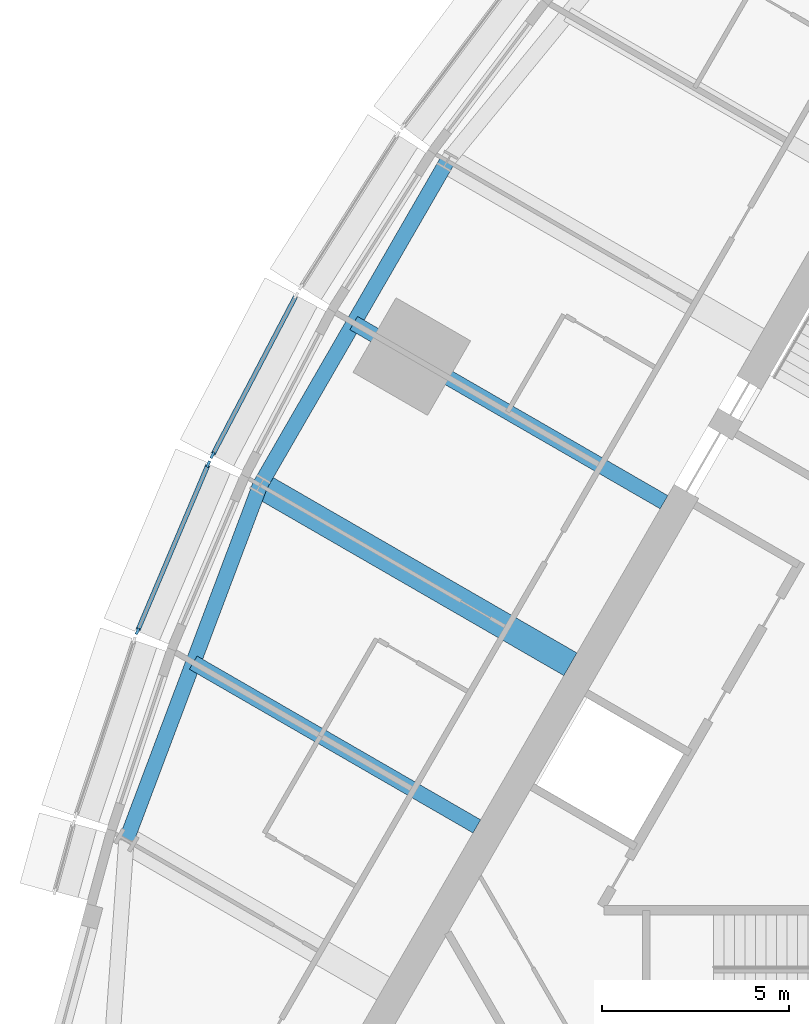
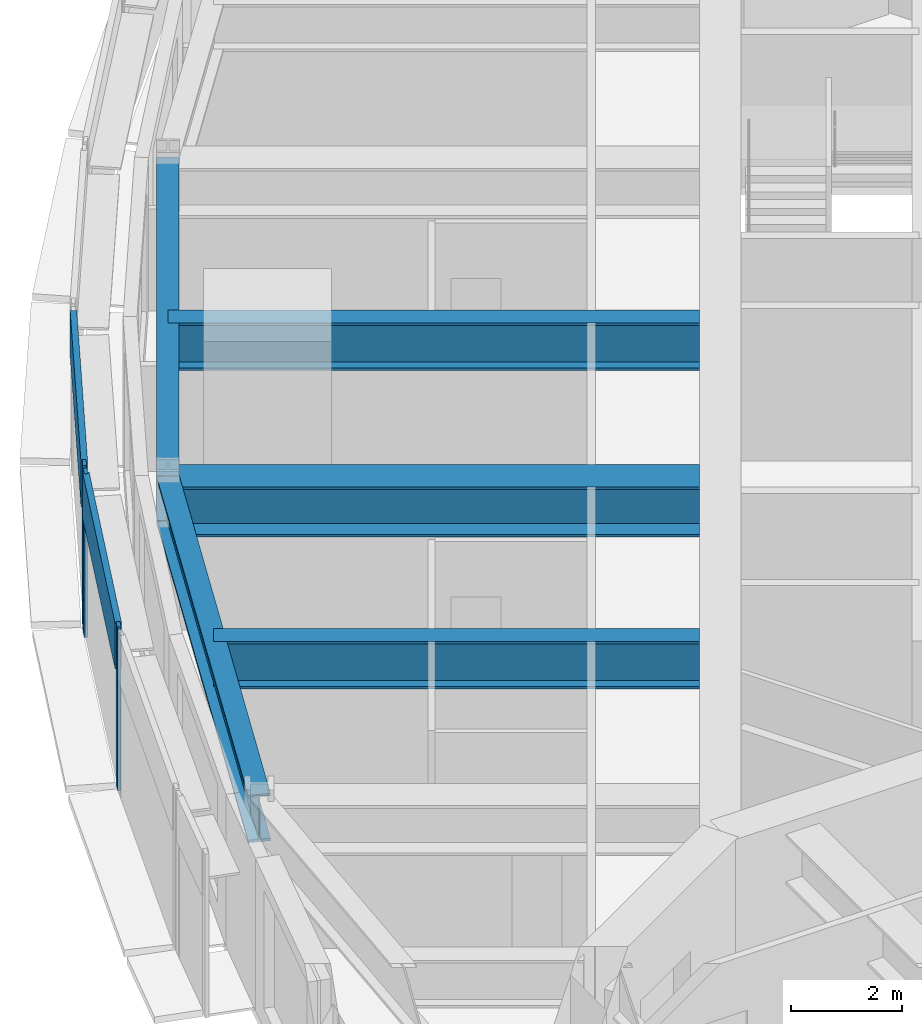
# One storey, part 3 of 15: 5 beams, 5 members, 2 elements without a shape of their own.
"""IFC4 building model written with IfcOpenShell, lengths in metres."""

import ifcopenshell
import ifcopenshell.guid

model = None  # the IFC model being written
_history = None  # IfcOwnerHistory: only IFC2X3 demands one
_inside = {}  # id of a spatial element -> (the spatial element, [elements in it])
_under = {}  # id of a project, library or spatial element -> (it, [spatial elements below it])
_declared = {}  # id of a project -> (the project, [libraries it declares])
_typed = {}  # id of a type object -> (the type object, [elements of that type])
_made_of = {}  # id of a material, layer set ... -> (it, [elements and type objects made of it])


def new_model(schema):
    """Start an empty IFC model of exactly this schema.

    Asked for "IFC4X3", IfcOpenShell would pick the latest addendum, in which some entities
    have other attributes; the version numbers below select the first issue.
    IFC2X3 requires an IfcOwnerHistory on every rooted entity: one is made here for all.
    """
    global model, _history
    if schema == "IFC4X3":
        model = ifcopenshell.file(schema_version=(4, 3, 0, 0))
    else:
        model = ifcopenshell.file(schema=schema)
    _inside.clear()
    _under.clear()
    _declared.clear()
    _typed.clear()
    _made_of.clear()
    _history = None
    if model.schema == "IFC2X3":
        org = make("IfcOrganization", Name="unknown")
        user = make(
            "IfcPersonAndOrganization",
            ThePerson=make("IfcPerson", FamilyName="unknown"),
            TheOrganization=org,
        )
        app = make(
            "IfcApplication",
            ApplicationDeveloper=org,
            Version="unknown",
            ApplicationFullName="unknown",
            ApplicationIdentifier="unknown",
        )
        _history = make(
            "IfcOwnerHistory",
            OwningUser=user,
            OwningApplication=app,
            ChangeAction="ADDED",
            CreationDate=0,
        )
    return model


def make(cls, **values):
    """One entity of the class cls with the attributes given. An attribute that is None is left unset."""
    return model.create_entity(
        cls, **{name: value for name, value in values.items() if value is not None}
    )


def rooted(cls, **values):
    """An entity with a GlobalId (a new one), such as an element, a storey or a relation."""
    return make(cls, GlobalId=ifcopenshell.guid.new(), OwnerHistory=_history, **values)


def si_unit(unit_type, name, prefix=None):
    """IfcSIUnit, for example si_unit("LENGTHUNIT", "METRE", prefix="MILLI")."""
    return make("IfcSIUnit", UnitType=unit_type, Prefix=prefix, Name=name)


def assignment(units):
    """IfcUnitAssignment: the units of a project."""
    return None if units is None else make("IfcUnitAssignment", Units=units)


def point(xyz):
    """IfcCartesianPoint."""
    return None if xyz is None else make("IfcCartesianPoint", Coordinates=xyz)


def direction(xyz):
    """IfcDirection."""
    return None if xyz is None else make("IfcDirection", DirectionRatios=xyz)


def frame(location, z_axis=None, x_axis=None):
    """IfcAxis2Placement3D, a coordinate frame: its origin and axes. An axis left out is left unset."""
    return make(
        "IfcAxis2Placement3D",
        Location=point(location),
        Axis=direction(z_axis),
        RefDirection=direction(x_axis),
    )


def frame_2d(location, x_axis=None):
    """IfcAxis2Placement2D, a coordinate frame in the plane: its origin and x axis."""
    return make(
        "IfcAxis2Placement2D", Location=point(location), RefDirection=direction(x_axis)
    )


def origin():
    """The frame at (0, 0, 0) with its axes left unset."""
    return frame((0.0, 0.0, 0.0))


def origin_2d():
    """The frame at (0, 0) in the plane with its x axis left unset."""
    return frame_2d((0.0, 0.0))


def place(relative_to, where):
    """IfcLocalPlacement: puts the frame where relative to a parent placement (None: the world)."""
    return make(
        "IfcLocalPlacement", PlacementRelTo=relative_to, RelativePlacement=where
    )


def context(
    kind, dimensions, precision=None, world=None, true_north=None, identifier=None
):
    """IfcGeometricRepresentationContext, for example the 3D "Model" context."""
    return make(
        "IfcGeometricRepresentationContext",
        ContextIdentifier=identifier,
        ContextType=kind,
        CoordinateSpaceDimension=dimensions,
        Precision=precision,
        WorldCoordinateSystem=world,
        TrueNorth=true_north,
    )


def subcontext(parent, identifier, kind, view, scale=None):
    """IfcGeometricRepresentationSubContext, for example "Body" below "Model"."""
    return make(
        "IfcGeometricRepresentationSubContext",
        ContextIdentifier=identifier,
        ContextType=kind,
        ParentContext=parent,
        TargetScale=scale,
        TargetView=view,
    )


def project(units=None, contexts=None):
    """IfcProject with its units and contexts."""
    return rooted(
        "IfcProject",
        Name="project",
        RepresentationContexts=contexts,
        UnitsInContext=assignment(units),
    )


def spatial(cls, under=None, at=None, **own):
    """A site, building, storey or space (cls), placed at a placement, below another one or the project."""
    s = rooted(cls, ObjectPlacement=at, **own)
    if under is not None:
        _under.setdefault(under.id(), (under, []))[1].append(s)
    return s


def profile(cls, at=None, kind="AREA", **sizes):
    """A parametric profile (cls). Its sizes go by their IFC names, for example OverallWidth=200.0."""
    return make(cls, ProfileType=kind, Position=at, **sizes)


def rectangle(**sizes):
    """IfcRectangleProfileDef."""
    return profile("IfcRectangleProfileDef", **sizes)


def i_section(**sizes):
    """IfcIShapeProfileDef."""
    return profile("IfcIShapeProfileDef", **sizes)


def extrude(swept, where, along, depth):
    """IfcExtrudedAreaSolid: the profile swept, set in the frame where, extruded along a direction by depth."""
    return make(
        "IfcExtrudedAreaSolid",
        SweptArea=swept,
        Position=where,
        ExtrudedDirection=direction(along),
        Depth=depth,
    )


def shape(context_of_items, identifier, shape_type, items):
    """IfcShapeRepresentation: the items that make up one representation, for example the "Body"."""
    return make(
        "IfcShapeRepresentation",
        ContextOfItems=context_of_items,
        RepresentationIdentifier=identifier,
        RepresentationType=shape_type,
        Items=items,
    )


def material(Name=None, Category=None):
    """IfcMaterial."""
    return make("IfcMaterial", Name=Name, Category=Category)


def material_profile(
    of_material, cross_section, Name=None, Category=None, Priority=None
):
    """IfcMaterialProfile: a cross section and its material."""
    return make(
        "IfcMaterialProfile",
        Name=Name,
        Material=of_material,
        Profile=cross_section,
        Priority=Priority,
        Category=Category,
    )


def profile_set(profiles, Name=None, composite=None):
    """IfcMaterialProfileSet."""
    return make(
        "IfcMaterialProfileSet",
        Name=Name,
        MaterialProfiles=profiles,
        CompositeProfile=composite,
    )


def made_of(thing, what):
    """Note that an element or type object is made of a material, layer set ...; save() writes the relation."""
    if what is not None:
        _made_of.setdefault(what.id(), (what, []))[1].append(thing)
    return thing


def type_object(cls, material=None, **own):
    """A type object (cls), such as IfcWallType, which elements share."""
    return made_of(rooted(cls, **own), material)


def element(
    cls,
    number,
    at=None,
    inside=None,
    cuts=None,
    type_object=None,
    material=None,
    context=None,
    identifier="Body",
    shape_type=None,
    held_by="IfcProductDefinitionShape",
    body=None,
    shapes=None,
    **own,
):
    """One element of the class cls, such as IfcWall. Its Tag is "e" and its number.

    at: its placement. inside: the storey or other place that contains it. cuts: it is an
    opening in that element (IfcRelVoidsElement). A single representation is given by context,
    identifier, shape_type and body (its items); several are given by shapes. held_by: the class
    of the entity that holds the representations. save() writes the other relations.
    """
    e = rooted(cls, Tag="e%d" % number, ObjectPlacement=at, **own)
    if body is not None:
        shapes = [shape(context, identifier, shape_type, body)]
    if shapes is not None:
        e.Representation = make(held_by, Representations=shapes)
    if inside is not None:
        _inside.setdefault(inside.id(), (inside, []))[1].append(e)
    if cuts is not None:
        rooted(
            "IfcRelVoidsElement", RelatingBuildingElement=cuts, RelatedOpeningElement=e
        )
    if type_object is not None:
        _typed.setdefault(type_object.id(), (type_object, []))[1].append(e)
    return made_of(e, material)


def aggregate(whole, parts):
    """IfcRelAggregates: a whole, such as a stair, and the parts it consists of."""
    return rooted("IfcRelAggregates", RelatingObject=whole, RelatedObjects=parts)


def save(model, path):
    """Write the relations noted so far, then the file.

    IfcRelAggregates (storeys below a building ...), IfcRelContainedInSpatialStructure (elements
    in a storey), IfcRelDefinesByType, IfcRelAssociatesMaterial and IfcRelDeclares: one each for
    every whole, place, type object, material and project.
    """
    for whole, parts in _under.values():
        aggregate(whole, parts)
    for where, things in _inside.values():
        rooted(
            "IfcRelContainedInSpatialStructure",
            RelatedElements=things,
            RelatingStructure=where,
        )
    for kind, things in _typed.values():
        rooted("IfcRelDefinesByType", RelatedObjects=things, RelatingType=kind)
    for what, things in _made_of.values():
        rooted("IfcRelAssociatesMaterial", RelatedObjects=things, RelatingMaterial=what)
    for by, libraries in _declared.values():
        rooted("IfcRelDeclares", RelatingContext=by, RelatedDefinitions=libraries)
    model.write(path)


model = new_model("IFC4")

# Units and contexts
model_context = context("Model", 3, precision=1e-05, world=origin(), true_north=direction((0.0, 1.0)))
body_context = subcontext(model_context, "Body", "Model", "MODEL_VIEW")
ifc_project = project(units=[si_unit("LENGTHUNIT", "METRE"), si_unit("AREAUNIT", "SQUARE_METRE"), si_unit("VOLUMEUNIT", "CUBIC_METRE"), si_unit("PLANEANGLEUNIT", "RADIAN"), si_unit("MASSUNIT", "GRAM", prefix="KILO")], contexts=[model_context])

# Site, building, storey
site_placement = place(None, origin())
site = spatial("IfcSite", under=ifc_project, at=site_placement, CompositionType="ELEMENT")
building_placement = place(site_placement, origin())
building = spatial("IfcBuilding", under=site, at=building_placement, Name="Trikona Tower", CompositionType="ELEMENT")
storey_placement = place(building_placement, frame((0.0, 0.0, 229.699951171875)))
storey = spatial("IfcBuildingStorey", under=building, at=storey_placement, Name="L61", CompositionType="ELEMENT", Elevation=229.699951171875)

# Curtain wall, member
ifc_material_1 = material(Name="Aluminium curtain wall system", Category="aluminium")
curtain_wall_type = type_object("IfcCurtainWallType", Name="Curtain wall DS3S", PredefinedType="NOTDEFINED", material=ifc_material_1)
curtain_wall_1_placement = place(storey_placement, origin())
curtain_wall_1 = element("IfcCurtainWall", 1, at=curtain_wall_1_placement, inside=storey, type_object=curtain_wall_type, Name="Curtain wall DS3S L61", PredefinedType="NOTDEFINED")
ifc_material_2 = material(Name="Aluminium mullion, pale anodised", Category="aluminium")
ifc_material_profile_1 = material_profile(ifc_material_2, rectangle(XDim=0.070068359375, YDim=0.179931640625, at=origin_2d()), Name="MUL-DS3S")
ifc_profile_set_1 = profile_set([ifc_material_profile_1], Name="Aluminium mullion, pale anodised")
member_type_1 = type_object("IfcMemberType", Name="Mullion DS3S 70x180", PredefinedType="MULLION", material=ifc_profile_set_1)
member_1_placement = place(storey_placement, frame((-20.635986328125, 6.20751953125, 0.0), z_axis=(0.0, 0.0, 1.0), x_axis=(0.885862390527, -0.463948084434, 0.0)))
member_1 = element("IfcMember", 2, at=member_1_placement, type_object=member_type_1, Name="CW-DS3S mullion 2", PredefinedType="MULLION", context=body_context, shape_type="SweptSolid", body=[
    extrude(rectangle(XDim=0.070068359375, YDim=0.179931640625, at=origin_2d()), origin(), (0.0, 0.0, 1.0), 3.60009765625),
])

# Curtain wall, members
curtain_wall_2_placement = place(storey_placement, origin())
curtain_wall_2 = element("IfcCurtainWall", 3, at=curtain_wall_2_placement, inside=storey, type_object=curtain_wall_type, Name="Curtain wall DS3S L61", PredefinedType="NOTDEFINED")
member_2_placement = place(storey_placement, frame((-20.74853515625, 5.969482421875, 0.0), z_axis=(0.0, 0.0, 1.0), x_axis=(0.920792322808, -0.390053199266, 0.0)))
member_2 = element("IfcMember", 4, at=member_2_placement, type_object=member_type_1, Name="CW-DS3S mullion 1", PredefinedType="MULLION", context=body_context, shape_type="SweptSolid", body=[
    extrude(rectangle(XDim=0.070068359375, YDim=0.179931640625, at=origin_2d()), origin(), (0.0, 0.0, 1.0), 3.60009765625),
])
member_3_placement = place(storey_placement, frame((-22.6396484375, 1.50537109375, 0.0), z_axis=(0.0, 0.0, 1.0), x_axis=(0.920792322808, -0.390053199266, 0.0)))
member_3 = element("IfcMember", 5, at=member_3_placement, type_object=member_type_1, Name="CW-DS3S mullion 2", PredefinedType="MULLION", context=body_context, shape_type="SweptSolid", body=[
    extrude(rectangle(XDim=0.070068359375, YDim=0.179931640625, at=origin_2d()), origin(), (0.0, 0.0, 1.0), 3.60009765625),
])

# Beams
ifc_material_3 = material(Name="Steel ASTM A992 Grade 50", Category="steel")
ifc_material_profile_2 = material_profile(ifc_material_3, i_section(OverallWidth=0.699951171875, OverallDepth=1.10009765625, WebThickness=0.0400390625, FlangeThickness=0.06005859375, at=origin_2d()), Name="PG1100X700")
ifc_profile_set_2 = profile_set([ifc_material_profile_2], Name="Steel ASTM A992 Grade 50")
beam_type_1 = type_object("IfcBeamType", Name="Steel beam PG1100x700 (belt chord radial)", PredefinedType="BEAM", material=ifc_profile_set_2)
beam_1_placement = place(storey_placement, frame((-11.07470703125, 0.62060546875, 2.800048828125), z_axis=(-0.866025863714, 0.499999203377, 0.0), x_axis=(-0.499999203377, -0.866025863714, 0.0)))
element("IfcBeam", 6, at=beam_1_placement, inside=storey, type_object=beam_type_1, Name="Floor beam L62 F3 u5", PredefinedType="BEAM", context=body_context, shape_type="SweptSolid", body=[
    extrude(i_section(OverallWidth=0.699951171875, OverallDepth=1.10009765625, WebThickness=0.0400390625, FlangeThickness=0.06005859375, at=origin_2d()), origin(), (0.0, 0.0, 1.0), 9.57080078125),
])
ifc_material_4 = material(Name="Steel ASTM A992 Grade 50", Category="steel")
ifc_material_profile_3 = material_profile(ifc_material_4, i_section(OverallWidth=0.408935546875, OverallDepth=1.04150390625, WebThickness=0.031005859375, FlangeThickness=0.055908203125, at=origin_2d()), Name="W40X397")
ifc_profile_set_3 = profile_set([ifc_material_profile_3], Name="Steel ASTM A992 Grade 50")
beam_type_2 = type_object("IfcBeamType", Name="Steel beam W40x397 (plant spandrel)", PredefinedType="SPANDREL", material=ifc_profile_set_3)
beam_2_placement = place(storey_placement, frame((-14.36328125, 14.066162109375, 2.829345703125), z_axis=(-0.500004234368, -0.866022959057, 0.0), x_axis=(0.866022959057, -0.500004234368, 0.0)))
element("IfcBeam", 7, at=beam_2_placement, inside=storey, type_object=beam_type_2, Name="Spandrel beam L62 F3-3", PredefinedType="SPANDREL", context=body_context, shape_type="SweptSolid", body=[
    extrude(i_section(OverallWidth=0.408935546875, OverallDepth=1.04150390625, WebThickness=0.031005859375, FlangeThickness=0.055908203125, at=origin_2d()), origin(), (0.0, 0.0, 1.0), 10.0),
])
beam_3_placement = place(storey_placement, frame((-19.36328125, 5.406005859375, 2.829345703125), z_axis=(-0.352596088442, -0.935775613283, 0.0), x_axis=(0.935775613283, -0.352596088442, 0.0)))
element("IfcBeam", 8, at=beam_3_placement, inside=storey, type_object=beam_type_2, Name="Spandrel beam L62 F3-4", PredefinedType="SPANDREL", context=body_context, shape_type="SweptSolid", body=[
    extrude(i_section(OverallWidth=0.408935546875, OverallDepth=1.04150390625, WebThickness=0.031005859375, FlangeThickness=0.055908203125, at=origin_2d()), origin(), (0.0, 0.0, 1.0), 10.134765625),
])
ifc_material_5 = material(Name="Steel ASTM A992 Grade 50", Category="steel")
ifc_material_profile_4 = material_profile(ifc_material_5, i_section(OverallWidth=0.408935546875, OverallDepth=1.04150390625, WebThickness=0.031005859375, FlangeThickness=0.055908203125, at=origin_2d()), Name="W40X397")
ifc_profile_set_4 = profile_set([ifc_material_profile_4], Name="Steel ASTM A992 Grade 50")
beam_type_3 = type_object("IfcBeamType", Name="Steel beam W40x397 (plant)", PredefinedType="BEAM", material=ifc_profile_set_4)
beam_4_placement = place(storey_placement, frame((-8.57470703125, 4.95068359375, 2.829345703125), z_axis=(-0.866025863714, 0.499999203377, 0.0), x_axis=(-0.499999203377, -0.866025863714, 0.0)))
element("IfcBeam", 9, at=beam_4_placement, inside=storey, type_object=beam_type_3, Name="Floor beam L62 F3 u0", PredefinedType="BEAM", context=body_context, shape_type="SweptSolid", body=[
    extrude(i_section(OverallWidth=0.408935546875, OverallDepth=1.04150390625, WebThickness=0.031005859375, FlangeThickness=0.055908203125, at=origin_2d()), origin(), (0.0, 0.0, 1.0), 9.57080078125),
])
beam_5_placement = place(storey_placement, frame((-13.57470703125, -3.709716796875, 2.829345703125), z_axis=(-0.866013609749, 0.500020427312, 0.0), x_axis=(-0.500020427312, -0.866013609749, 0.0)))
element("IfcBeam", 10, at=beam_5_placement, inside=storey, type_object=beam_type_3, Name="Floor beam L62 F3 u10", PredefinedType="BEAM", context=body_context, shape_type="SweptSolid", body=[
    extrude(i_section(OverallWidth=0.408935546875, OverallDepth=1.04150390625, WebThickness=0.031005859375, FlangeThickness=0.055908203125, at=origin_2d()), origin(), (0.0, 0.0, 1.0), 8.747314453125),
])

# Member
ifc_material_6 = material(Name="Aluminium transom, pale anodised", Category="aluminium")
ifc_material_profile_5 = material_profile(ifc_material_6, rectangle(XDim=0.1201171875, YDim=1.0, at=origin_2d()), Name="TRN-DS3S")
ifc_profile_set_5 = profile_set([ifc_material_profile_5], Name="Aluminium transom, pale anodised")
member_type_2 = type_object("IfcMemberType", Name="Transom DS3S 1000x120", PredefinedType="USERDEFINED", material=ifc_profile_set_5)
member_4_placement = place(storey_placement, frame((-18.418701171875, 10.44140625, 3.10009765625), z_axis=(-0.463910848027, -0.885881891158, 0.0), x_axis=(0.885881891158, -0.463910848027, 0.0)))
member_4 = element("IfcMember", 11, at=member_4_placement, type_object=member_type_2, Name="CW-DS3S transom 1.1", ObjectType="TRANSOM", PredefinedType="USERDEFINED", context=body_context, shape_type="SweptSolid", body=[
    extrude(rectangle(XDim=0.1201171875, YDim=1.0, at=origin_2d()), origin(), (0.0, 0.0, 1.0), 4.744384765625),
])

aggregate(curtain_wall_1, [member_1, member_4])

member_5_placement = place(storey_placement, frame((-20.76220703125, 5.937255859375, 3.10009765625), z_axis=(-0.390061662668, -0.920788737614, 0.0), x_axis=(0.920788737614, -0.390061662668, 0.0)))
member_5 = element("IfcMember", 12, at=member_5_placement, type_object=member_type_2, Name="CW-DS3S transom 1.1", ObjectType="TRANSOM", PredefinedType="USERDEFINED", context=body_context, shape_type="SweptSolid", body=[
    extrude(rectangle(XDim=0.1201171875, YDim=1.0, at=origin_2d()), origin(), (0.0, 0.0, 1.0), 4.778076171875),
])

aggregate(curtain_wall_2, [member_2, member_3, member_5])

save(model, "model.ifc")
